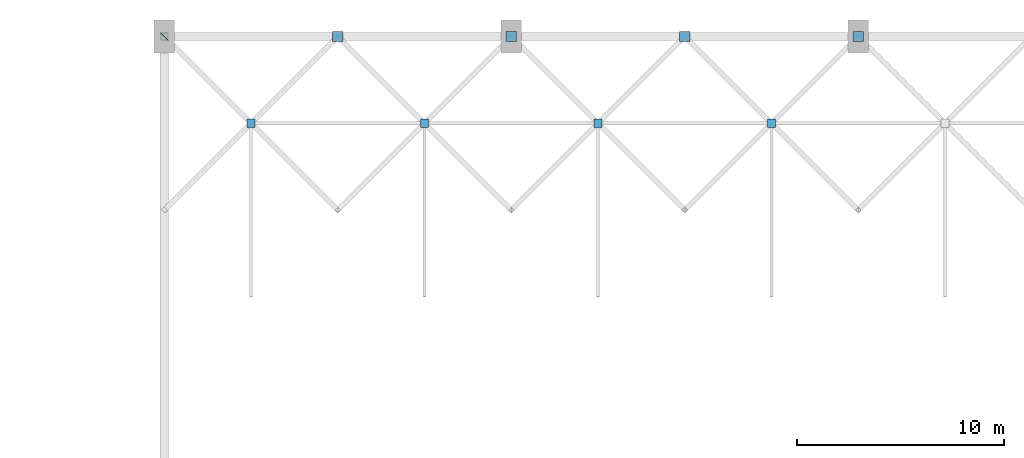
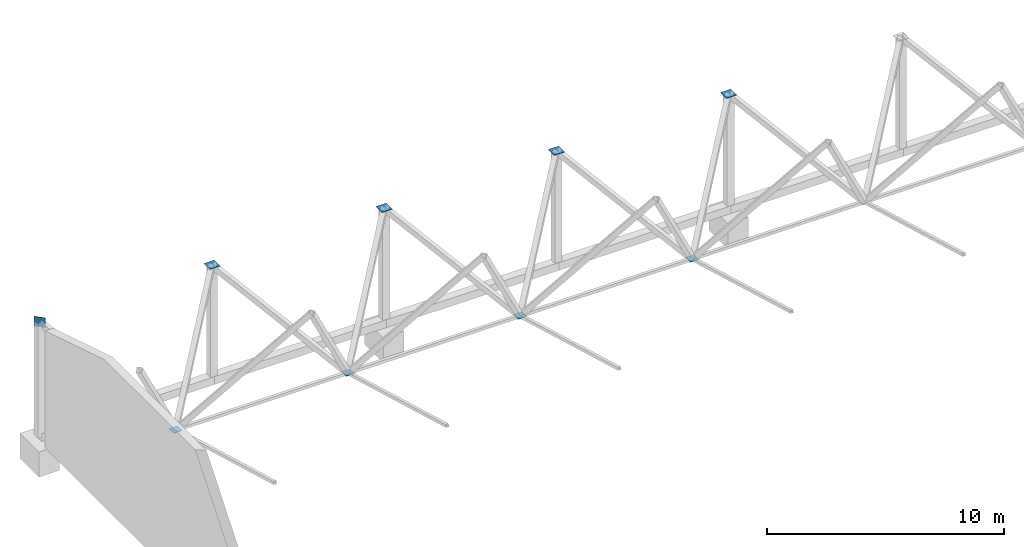
# One storey, part 144 of 163: 9 discrete accessories.
"""IFC4 building model written with IfcOpenShell, lengths in metres."""

from ifc_helpers import new_model, si_unit, direction, frame, origin, origin_2d, place, context, subcontext, project, spatial, rectangle, extrude, material, layer, layer_set, type_object, element, save


model = new_model("IFC4")

# Units and contexts
model_context = context("Model", 3, precision=1e-05, world=origin(), true_north=direction((0.0, 1.0)))
body_context = subcontext(model_context, "Body", "Model", "MODEL_VIEW")
ifc_project = project(units=[si_unit("LENGTHUNIT", "METRE"), si_unit("AREAUNIT", "SQUARE_METRE"), si_unit("VOLUMEUNIT", "CUBIC_METRE"), si_unit("PLANEANGLEUNIT", "RADIAN"), si_unit("MASSUNIT", "GRAM", prefix="KILO")], contexts=[model_context])

# Site, building, storey
site_placement = place(None, origin())
site = spatial("IfcSite", under=ifc_project, at=site_placement, CompositionType="ELEMENT")
building_placement = place(site_placement, origin())
building = spatial("IfcBuilding", under=site, at=building_placement, Name="Rain Tree Exposition and Congress Centre", CompositionType="ELEMENT")
storey_placement = place(building_placement, frame((0.0, 0.0, 10.5)))
storey = spatial("IfcBuildingStorey", under=building, at=storey_placement, Name="L02", CompositionType="ELEMENT", Elevation=10.5)

# Discrete accessories
ifc_material_1 = material(Name="Steel plate S355J2", Category="steel")
ifc_layer_1 = layer(ifc_material_1, 0.02001953125)
ifc_layer_set_1 = layer_set([ifc_layer_1], Name="Steel plate S355J2")
discrete_accessory_type_1 = type_object("IfcDiscreteAccessoryType", Name="Brace node plate 400x400x20", PredefinedType="BRACKET", material=ifc_layer_set_1)
for number, where, z_axis, x_axis, name in (
    (1, (12.60009765625, 197.39990234375, 2.863525390625), (0.0, 0.0, 1.0), (1.0, 0.0, 0.0), "Brace node plate 400"),
    (2, (21.0, 197.39990234375, 2.863525390625), (0.0, 0.0, 1.0), (1.0, 0.0, 0.0), "Brace node plate 400"),
    (3, (29.39990234375, 197.39990234375, 2.863525390625), (0.0, 0.0, 1.0), (1.0, 0.0, 0.0), "Brace node plate 400"),
    (4, (37.800048828125, 197.39990234375, 2.863525390625), (0.0, 0.0, 1.0), (1.0, 0.0, 0.0), "Brace node plate 400"),
):
    element("IfcDiscreteAccessory", number, at=place(storey_placement, frame(where, z_axis=z_axis, x_axis=x_axis)), inside=storey, type_object=discrete_accessory_type_1, Name=name, PredefinedType="BRACKET", context=body_context, shape_type="SweptSolid", body=[
        extrude(rectangle(XDim=0.39990234375, YDim=0.39990234375, at=origin_2d()), origin(), (0.0, 0.0, 1.0), 0.02001953125),
    ])
ifc_material_2 = material(Name="Steel plate S355J2", Category="steel")
ifc_layer_2 = layer(ifc_material_2, 0.02001953125)
ifc_layer_set_2 = layer_set([ifc_layer_2], Name="Steel plate S355J2")
discrete_accessory_type_2 = type_object("IfcDiscreteAccessoryType", Name="Brace node plate 500x500x20", PredefinedType="BRACKET", material=ifc_layer_set_2)
discrete_accessory_placement = place(storey_placement, frame((8.39990234375, 201.60009765625, 7.10009765625), z_axis=(0.0, 0.0, 1.0), x_axis=(0.707106781187, -0.707106781187, 0.0)))
element("IfcDiscreteAccessory", 5, at=discrete_accessory_placement, inside=storey, type_object=discrete_accessory_type_2, Name="Brace node plate 500", PredefinedType="BRACKET", context=body_context, shape_type="SweptSolid", body=[
    extrude(rectangle(XDim=0.5, YDim=0.02001953125, at=origin_2d()), origin(), (0.0, 0.0, 1.0), 0.5),
])
for number, where, z_axis, x_axis, name in (
    (6, (16.800048828125, 201.60009765625, 7.340087890625), (0.0, 0.0, 1.0), (1.0, 0.0, 0.0), "Brace node plate 500"),
    (7, (25.199951171875, 201.60009765625, 7.340087890625), (0.0, 0.0, 1.0), (1.0, 0.0, 0.0), "Brace node plate 500"),
    (8, (33.60009765625, 201.60009765625, 7.340087890625), (0.0, 0.0, 1.0), (1.0, 0.0, 0.0), "Brace node plate 500"),
    (9, (42.0, 201.60009765625, 7.340087890625), (0.0, 0.0, 1.0), (1.0, 0.0, 0.0), "Brace node plate 500"),
):
    element("IfcDiscreteAccessory", number, at=place(storey_placement, frame(where, z_axis=z_axis, x_axis=x_axis)), inside=storey, type_object=discrete_accessory_type_2, Name=name, PredefinedType="BRACKET", context=body_context, shape_type="SweptSolid", body=[
        extrude(rectangle(XDim=0.5, YDim=0.5, at=origin_2d()), origin(), (0.0, 0.0, 1.0), 0.02001953125),
    ])

save(model, "model.ifc")
